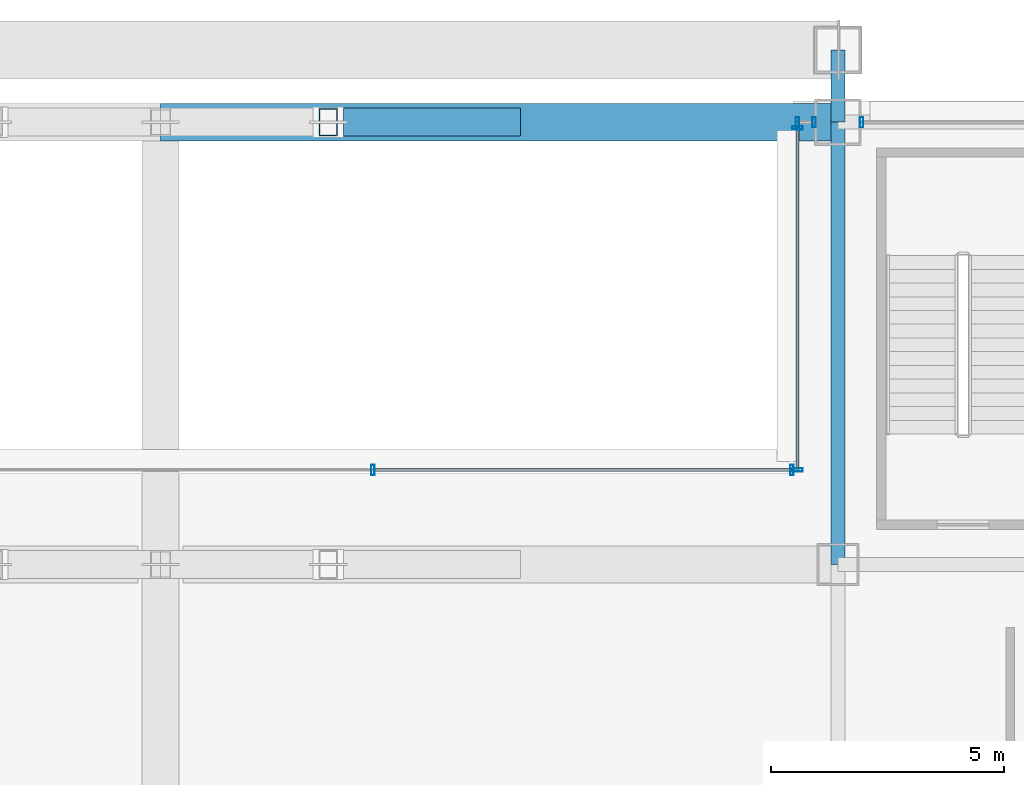
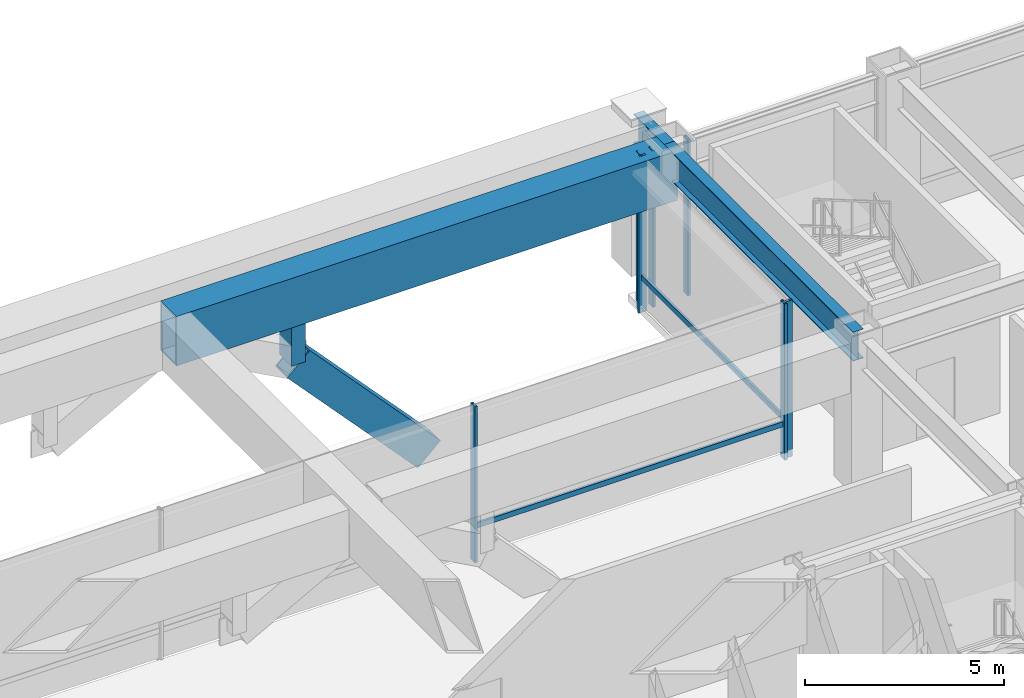
# One storey, part 21 of 37: 11 members, 3 beams, 4 elements without a shape of their own.
"""IFC4 building model written with IfcOpenShell, lengths in metres."""

import ifcopenshell
import ifcopenshell.guid

model = None  # the IFC model being written
_history = None  # IfcOwnerHistory: only IFC2X3 demands one
_inside = {}  # id of a spatial element -> (the spatial element, [elements in it])
_under = {}  # id of a project, library or spatial element -> (it, [spatial elements below it])
_declared = {}  # id of a project -> (the project, [libraries it declares])
_typed = {}  # id of a type object -> (the type object, [elements of that type])
_made_of = {}  # id of a material, layer set ... -> (it, [elements and type objects made of it])


def new_model(schema):
    """Start an empty IFC model of exactly this schema.

    Asked for "IFC4X3", IfcOpenShell would pick the latest addendum, in which some entities
    have other attributes; the version numbers below select the first issue.
    IFC2X3 requires an IfcOwnerHistory on every rooted entity: one is made here for all.
    """
    global model, _history
    if schema == "IFC4X3":
        model = ifcopenshell.file(schema_version=(4, 3, 0, 0))
    else:
        model = ifcopenshell.file(schema=schema)
    _inside.clear()
    _under.clear()
    _declared.clear()
    _typed.clear()
    _made_of.clear()
    _history = None
    if model.schema == "IFC2X3":
        org = make("IfcOrganization", Name="unknown")
        user = make(
            "IfcPersonAndOrganization",
            ThePerson=make("IfcPerson", FamilyName="unknown"),
            TheOrganization=org,
        )
        app = make(
            "IfcApplication",
            ApplicationDeveloper=org,
            Version="unknown",
            ApplicationFullName="unknown",
            ApplicationIdentifier="unknown",
        )
        _history = make(
            "IfcOwnerHistory",
            OwningUser=user,
            OwningApplication=app,
            ChangeAction="ADDED",
            CreationDate=0,
        )
    return model


def make(cls, **values):
    """One entity of the class cls with the attributes given. An attribute that is None is left unset."""
    return model.create_entity(
        cls, **{name: value for name, value in values.items() if value is not None}
    )


def rooted(cls, **values):
    """An entity with a GlobalId (a new one), such as an element, a storey or a relation."""
    return make(cls, GlobalId=ifcopenshell.guid.new(), OwnerHistory=_history, **values)


def si_unit(unit_type, name, prefix=None):
    """IfcSIUnit, for example si_unit("LENGTHUNIT", "METRE", prefix="MILLI")."""
    return make("IfcSIUnit", UnitType=unit_type, Prefix=prefix, Name=name)


def assignment(units):
    """IfcUnitAssignment: the units of a project."""
    return None if units is None else make("IfcUnitAssignment", Units=units)


def point(xyz):
    """IfcCartesianPoint."""
    return None if xyz is None else make("IfcCartesianPoint", Coordinates=xyz)


def direction(xyz):
    """IfcDirection."""
    return None if xyz is None else make("IfcDirection", DirectionRatios=xyz)


def frame(location, z_axis=None, x_axis=None):
    """IfcAxis2Placement3D, a coordinate frame: its origin and axes. An axis left out is left unset."""
    return make(
        "IfcAxis2Placement3D",
        Location=point(location),
        Axis=direction(z_axis),
        RefDirection=direction(x_axis),
    )


def frame_2d(location, x_axis=None):
    """IfcAxis2Placement2D, a coordinate frame in the plane: its origin and x axis."""
    return make(
        "IfcAxis2Placement2D", Location=point(location), RefDirection=direction(x_axis)
    )


def origin():
    """The frame at (0, 0, 0) with its axes left unset."""
    return frame((0.0, 0.0, 0.0))


def origin_2d():
    """The frame at (0, 0) in the plane with its x axis left unset."""
    return frame_2d((0.0, 0.0))


def place(relative_to, where):
    """IfcLocalPlacement: puts the frame where relative to a parent placement (None: the world)."""
    return make(
        "IfcLocalPlacement", PlacementRelTo=relative_to, RelativePlacement=where
    )


def context(
    kind, dimensions, precision=None, world=None, true_north=None, identifier=None
):
    """IfcGeometricRepresentationContext, for example the 3D "Model" context."""
    return make(
        "IfcGeometricRepresentationContext",
        ContextIdentifier=identifier,
        ContextType=kind,
        CoordinateSpaceDimension=dimensions,
        Precision=precision,
        WorldCoordinateSystem=world,
        TrueNorth=true_north,
    )


def subcontext(parent, identifier, kind, view, scale=None):
    """IfcGeometricRepresentationSubContext, for example "Body" below "Model"."""
    return make(
        "IfcGeometricRepresentationSubContext",
        ContextIdentifier=identifier,
        ContextType=kind,
        ParentContext=parent,
        TargetScale=scale,
        TargetView=view,
    )


def project(units=None, contexts=None):
    """IfcProject with its units and contexts."""
    return rooted(
        "IfcProject",
        Name="project",
        RepresentationContexts=contexts,
        UnitsInContext=assignment(units),
    )


def spatial(cls, under=None, at=None, **own):
    """A site, building, storey or space (cls), placed at a placement, below another one or the project."""
    s = rooted(cls, ObjectPlacement=at, **own)
    if under is not None:
        _under.setdefault(under.id(), (under, []))[1].append(s)
    return s


def profile(cls, at=None, kind="AREA", **sizes):
    """A parametric profile (cls). Its sizes go by their IFC names, for example OverallWidth=200.0."""
    return make(cls, ProfileType=kind, Position=at, **sizes)


def hollow_rectangle(**sizes):
    """IfcRectangleHollowProfileDef."""
    return profile("IfcRectangleHollowProfileDef", **sizes)


def i_section(**sizes):
    """IfcIShapeProfileDef."""
    return profile("IfcIShapeProfileDef", **sizes)


def extrude(swept, where, along, depth):
    """IfcExtrudedAreaSolid: the profile swept, set in the frame where, extruded along a direction by depth."""
    return make(
        "IfcExtrudedAreaSolid",
        SweptArea=swept,
        Position=where,
        ExtrudedDirection=direction(along),
        Depth=depth,
    )


def shape(context_of_items, identifier, shape_type, items):
    """IfcShapeRepresentation: the items that make up one representation, for example the "Body"."""
    return make(
        "IfcShapeRepresentation",
        ContextOfItems=context_of_items,
        RepresentationIdentifier=identifier,
        RepresentationType=shape_type,
        Items=items,
    )


def material(Name=None, Category=None):
    """IfcMaterial."""
    return make("IfcMaterial", Name=Name, Category=Category)


def layer(
    of_material, thickness, ventilated=None, Name=None, Category=None, Priority=None
):
    """IfcMaterialLayer: one layer of a wall or slab, of a material (None: an air gap)."""
    return make(
        "IfcMaterialLayer",
        Material=of_material,
        LayerThickness=thickness,
        IsVentilated=ventilated,
        Name=Name,
        Category=Category,
        Priority=Priority,
    )


def layer_set(layers, Name=None):
    """IfcMaterialLayerSet."""
    return make("IfcMaterialLayerSet", MaterialLayers=layers, LayerSetName=Name)


def material_profile(
    of_material, cross_section, Name=None, Category=None, Priority=None
):
    """IfcMaterialProfile: a cross section and its material."""
    return make(
        "IfcMaterialProfile",
        Name=Name,
        Material=of_material,
        Profile=cross_section,
        Priority=Priority,
        Category=Category,
    )


def profile_set(profiles, Name=None, composite=None):
    """IfcMaterialProfileSet."""
    return make(
        "IfcMaterialProfileSet",
        Name=Name,
        MaterialProfiles=profiles,
        CompositeProfile=composite,
    )


def made_of(thing, what):
    """Note that an element or type object is made of a material, layer set ...; save() writes the relation."""
    if what is not None:
        _made_of.setdefault(what.id(), (what, []))[1].append(thing)
    return thing


def type_object(cls, material=None, **own):
    """A type object (cls), such as IfcWallType, which elements share."""
    return made_of(rooted(cls, **own), material)


def element(
    cls,
    number,
    at=None,
    inside=None,
    cuts=None,
    type_object=None,
    material=None,
    context=None,
    identifier="Body",
    shape_type=None,
    held_by="IfcProductDefinitionShape",
    body=None,
    shapes=None,
    **own,
):
    """One element of the class cls, such as IfcWall. Its Tag is "e" and its number.

    at: its placement. inside: the storey or other place that contains it. cuts: it is an
    opening in that element (IfcRelVoidsElement). A single representation is given by context,
    identifier, shape_type and body (its items); several are given by shapes. held_by: the class
    of the entity that holds the representations. save() writes the other relations.
    """
    e = rooted(cls, Tag="e%d" % number, ObjectPlacement=at, **own)
    if body is not None:
        shapes = [shape(context, identifier, shape_type, body)]
    if shapes is not None:
        e.Representation = make(held_by, Representations=shapes)
    if inside is not None:
        _inside.setdefault(inside.id(), (inside, []))[1].append(e)
    if cuts is not None:
        rooted(
            "IfcRelVoidsElement", RelatingBuildingElement=cuts, RelatedOpeningElement=e
        )
    if type_object is not None:
        _typed.setdefault(type_object.id(), (type_object, []))[1].append(e)
    return made_of(e, material)


def aggregate(whole, parts):
    """IfcRelAggregates: a whole, such as a stair, and the parts it consists of."""
    return rooted("IfcRelAggregates", RelatingObject=whole, RelatedObjects=parts)


def save(model, path):
    """Write the relations noted so far, then the file.

    IfcRelAggregates (storeys below a building ...), IfcRelContainedInSpatialStructure (elements
    in a storey), IfcRelDefinesByType, IfcRelAssociatesMaterial and IfcRelDeclares: one each for
    every whole, place, type object, material and project.
    """
    for whole, parts in _under.values():
        aggregate(whole, parts)
    for where, things in _inside.values():
        rooted(
            "IfcRelContainedInSpatialStructure",
            RelatedElements=things,
            RelatingStructure=where,
        )
    for kind, things in _typed.values():
        rooted("IfcRelDefinesByType", RelatedObjects=things, RelatingType=kind)
    for what, things in _made_of.values():
        rooted("IfcRelAssociatesMaterial", RelatedObjects=things, RelatingMaterial=what)
    for by, libraries in _declared.values():
        rooted("IfcRelDeclares", RelatingContext=by, RelatedDefinitions=libraries)
    model.write(path)


model = new_model("IFC4")

# Units and contexts
model_context = context("Model", 3, precision=1e-05, world=origin(), true_north=direction((0.0, 1.0)))
body_context = subcontext(model_context, "Body", "Model", "MODEL_VIEW")
ifc_project = project(units=[si_unit("LENGTHUNIT", "METRE"), si_unit("AREAUNIT", "SQUARE_METRE"), si_unit("VOLUMEUNIT", "CUBIC_METRE"), si_unit("PLANEANGLEUNIT", "RADIAN"), si_unit("MASSUNIT", "GRAM", prefix="KILO")], contexts=[model_context])

# Site, building, storey
site_placement = place(None, origin())
site = spatial("IfcSite", under=ifc_project, at=site_placement, CompositionType="ELEMENT")
building_placement = place(site_placement, origin())
building = spatial("IfcBuilding", under=site, at=building_placement, Name="Brelmoor Portico Tower", CompositionType="ELEMENT")
storey_placement = place(building_placement, frame((0.0, 0.0, 14.39990234375)))
storey = spatial("IfcBuildingStorey", under=building, at=storey_placement, Name="L03", CompositionType="ELEMENT", Elevation=14.39990234375)

# Beams
ifc_material_1 = material(Name="Steel Q355B", Category="steel")
ifc_material_profile_1 = material_profile(ifc_material_1, i_section(OverallWidth=0.300048828125, OverallDepth=0.89990234375, WebThickness=0.01611328125, FlangeThickness=0.028076171875, at=origin_2d()), Name="HN 900x300x16x28")
ifc_profile_set_1 = profile_set([ifc_material_profile_1], Name="Steel Q355B")
beam_type_1 = type_object("IfcBeamType", Name="BM-PG-900", PredefinedType="BEAM", material=ifc_profile_set_1)
beam_1_placement = place(storey_placement, frame((14.550048828125, 18.050048828125, 4.130126953125), z_axis=(0.0, 1.0, 0.0), x_axis=(-1.0, 0.0, 0.0)))
element("IfcBeam", 1, at=beam_1_placement, inside=storey, type_object=beam_type_1, Name="L03 Primary Floor Girder PG-17", PredefinedType="BEAM", context=body_context, shape_type="SweptSolid", body=[
    extrude(i_section(OverallWidth=0.300048828125, OverallDepth=0.89990234375, WebThickness=0.01611328125, FlangeThickness=0.028076171875, at=origin_2d()), origin(), (0.0, 0.0, 1.0), 9.5),
])
beam_2_placement = place(storey_placement, frame((14.550048828125, 27.550048828125, 4.130126953125), z_axis=(0.0, 1.0, 0.0), x_axis=(-1.0, 0.0, 0.0)))
element("IfcBeam", 2, at=beam_2_placement, inside=storey, type_object=beam_type_1, Name="L03 Primary Floor Girder PG-18", PredefinedType="BEAM", context=body_context, shape_type="SweptSolid", body=[
    extrude(i_section(OverallWidth=0.300048828125, OverallDepth=0.89990234375, WebThickness=0.01611328125, FlangeThickness=0.028076171875, at=origin_2d()), origin(), (0.0, 0.0, 1.0), 1.550048828125),
])
ifc_material_2 = material(Name="Steel Q420B", Category="steel")
ifc_material_profile_2 = material_profile(ifc_material_2, hollow_rectangle(XDim=0.800048828125, YDim=1.52001953125, WallThickness=0.044921875, at=origin_2d()), Name="BOX 800x1520x45")
ifc_profile_set_2 = profile_set([ifc_material_profile_2], Name="Steel Q420B")
beam_type_2 = type_object("IfcBeamType", Name="BM-TG-TIE", PredefinedType="BEAM", material=ifc_profile_set_2)
beam_3_placement = place(storey_placement, frame((0.0, 27.550048828125, 3.820068359375), z_axis=(1.0, 0.0, 0.0), x_axis=(0.0, 1.0, 0.0)))
element("IfcBeam", 3, at=beam_3_placement, inside=storey, type_object=beam_type_2, Name="L03 Giant Arch Bridge Transfer Box Girder N1E", PredefinedType="BEAM", context=body_context, shape_type="SweptSolid", body=[
    extrude(hollow_rectangle(XDim=0.800048828125, YDim=1.52001953125, WallThickness=0.044921875, at=origin_2d()), origin(), (0.0, 0.0, 1.0), 14.550048828125),
])

# Members
ifc_material_profile_3 = material_profile(ifc_material_2, hollow_rectangle(XDim=0.60009765625, YDim=0.89990234375, WallThickness=0.035888671875, at=origin_2d()), Name="RHS 600x900x36")
ifc_profile_set_3 = profile_set([ifc_material_profile_3], Name="Steel Q420B")
member_type_1 = type_object("IfcMemberType", Name="MB-ARCH-RIB", PredefinedType="CHORD", material=ifc_profile_set_3)
member_1_placement = place(storey_placement, frame((3.60009765625, 27.550048828125, 1.800048828125), z_axis=(0.679758934969, 0.0, -0.733435607487), x_axis=(0.0, 1.0, 0.0)))
element("IfcMember", 4, at=member_1_placement, inside=storey, type_object=member_type_1, Name="Giant Portico Arch Rib N1-6", PredefinedType="CHORD", context=body_context, shape_type="SweptSolid", body=[
    extrude(hollow_rectangle(XDim=0.60009765625, YDim=0.89990234375, WallThickness=0.035888671875, at=origin_2d()), origin(), (0.0, 0.0, 1.0), 5.58984375),
])
ifc_material_profile_4 = material_profile(ifc_material_1, hollow_rectangle(XDim=0.39990234375, YDim=0.60009765625, WallThickness=0.02392578125, at=origin_2d()), Name="RHS 400x600x24")
ifc_profile_set_4 = profile_set([ifc_material_profile_4], Name="Steel Q355B")
member_type_2 = type_object("IfcMemberType", Name="MB-ARCH-STRUT", PredefinedType="BRACE", material=ifc_profile_set_4)
member_2_placement = place(storey_placement, frame((3.60009765625, 27.550048828125, 1.800048828125), z_axis=(0.0, 0.0, 1.0), x_axis=(1.0, 0.0, 0.0)))
element("IfcMember", 5, at=member_2_placement, inside=storey, type_object=member_type_2, Name="Portico Arch Spandrel Strut N1-4", PredefinedType="BRACE", context=body_context, shape_type="SweptSolid", body=[
    extrude(hollow_rectangle(XDim=0.39990234375, YDim=0.60009765625, WallThickness=0.02392578125, at=origin_2d()), origin(), (0.0, 0.0, 1.0), 1.955078125),
])

# Curtain wall, members
ifc_material_3 = material(Name="Anodised Aluminium Alloy 6063-T6", Category="aluminium")
ifc_layer = layer(ifc_material_3, 0.179931640625)
ifc_layer_set = layer_set([ifc_layer], Name="Anodised Aluminium Alloy 6063-T6")
curtain_wall_type = type_object("IfcCurtainWallType", Name="CW-PODIUM-ARCH", PredefinedType="NOTDEFINED", material=ifc_layer_set)
curtain_wall_1_placement = place(storey_placement, origin())
curtain_wall_1 = element("IfcCurtainWall", 6, at=curtain_wall_1_placement, inside=storey, type_object=curtain_wall_type, Name="L03 Curtain Wall CW-L03-07-1", PredefinedType="NOTDEFINED")
ifc_material_profile_5 = material_profile(ifc_material_3, hollow_rectangle(XDim=0.074951171875, YDim=0.219970703125, WallThickness=0.0048828125, at=origin_2d()), Name="ALU MULLION 75x220")
ifc_profile_set_5 = profile_set([ifc_material_profile_5], Name="Anodised Aluminium Alloy 6063-T6")
member_type_3 = type_object("IfcMemberType", Name="MB-CW-MULL-220", PredefinedType="MULLION", material=ifc_profile_set_5)
member_3_placement = place(storey_placement, frame((13.679931640625, 27.550048828125, -0.219970703125), z_axis=(0.0, 0.0, 1.0), x_axis=(1.0, 0.0, 0.0)))
member_3 = element("IfcMember", 7, at=member_3_placement, type_object=member_type_3, Name="CW-L03-07-1 Mullion 00", PredefinedType="MULLION", context=body_context, shape_type="SweptSolid", body=[
    extrude(hollow_rectangle(XDim=0.074951171875, YDim=0.219970703125, WallThickness=0.0048828125, at=origin_2d()), origin(), (0.0, 0.0, 1.0), 4.800048828125),
])
member_4_placement = place(storey_placement, frame((14.0400390625, 27.550048828125, -0.219970703125), z_axis=(0.0, 0.0, 1.0), x_axis=(1.0, 0.0, 0.0)))
member_4 = element("IfcMember", 8, at=member_4_placement, type_object=member_type_3, Name="CW-L03-07-1 Mullion 01", PredefinedType="MULLION", context=body_context, shape_type="SweptSolid", body=[
    extrude(hollow_rectangle(XDim=0.074951171875, YDim=0.219970703125, WallThickness=0.0048828125, at=origin_2d()), origin(), (0.0, 0.0, 1.0), 4.800048828125),
])
aggregate(curtain_wall_1, [member_3, member_4])

# Curtain wall, member
curtain_wall_2_placement = place(storey_placement, origin())
curtain_wall_2 = element("IfcCurtainWall", 9, at=curtain_wall_2_placement, inside=storey, type_object=curtain_wall_type, Name="L03 Curtain Wall CW-L03-07-2", PredefinedType="NOTDEFINED")
member_5_placement = place(storey_placement, frame((15.06005859375, 27.550048828125, -0.219970703125), z_axis=(0.0, 0.0, 1.0), x_axis=(1.0, 0.0, 0.0)))
member_5 = element("IfcMember", 10, at=member_5_placement, type_object=member_type_3, Name="CW-L03-07-2 Mullion 00", PredefinedType="MULLION", context=body_context, shape_type="SweptSolid", body=[
    extrude(hollow_rectangle(XDim=0.074951171875, YDim=0.219970703125, WallThickness=0.0048828125, at=origin_2d()), origin(), (0.0, 0.0, 1.0), 4.800048828125),
])
aggregate(curtain_wall_2, [member_5])

# Curtain wall, members
curtain_wall_3_placement = place(storey_placement, origin())
curtain_wall_3 = element("IfcCurtainWall", 11, at=curtain_wall_3_placement, inside=storey, type_object=curtain_wall_type, Name="L03 Curtain Wall CW-L03-09", PredefinedType="NOTDEFINED")
member_6_placement = place(storey_placement, frame((13.679931640625, 20.080078125, -0.219970703125), z_axis=(0.0, 0.0, 1.0), x_axis=(0.0, 1.0, 0.0)))
member_6 = element("IfcMember", 12, at=member_6_placement, type_object=member_type_3, Name="CW-L03-09 Mullion 00", PredefinedType="MULLION", context=body_context, shape_type="SweptSolid", body=[
    extrude(hollow_rectangle(XDim=0.074951171875, YDim=0.219970703125, WallThickness=0.0048828125, at=origin_2d()), origin(), (0.0, 0.0, 1.0), 4.800048828125),
])
member_7_placement = place(storey_placement, frame((13.679931640625, 27.429931640625, -0.219970703125), z_axis=(0.0, 0.0, 1.0), x_axis=(0.0, 1.0, 0.0)))
member_7 = element("IfcMember", 13, at=member_7_placement, type_object=member_type_3, Name="CW-L03-09 Mullion 01", PredefinedType="MULLION", context=body_context, shape_type="SweptSolid", body=[
    extrude(hollow_rectangle(XDim=0.074951171875, YDim=0.219970703125, WallThickness=0.0048828125, at=origin_2d()), origin(), (0.0, 0.0, 1.0), 4.800048828125),
])

curtain_wall_4_placement = place(storey_placement, origin())
curtain_wall_4 = element("IfcCurtainWall", 14, at=curtain_wall_4_placement, inside=storey, type_object=curtain_wall_type, Name="L03 Curtain Wall CW-L03-10", PredefinedType="NOTDEFINED")
member_8_placement = place(storey_placement, frame((4.56005859375, 20.080078125, -0.219970703125), z_axis=(0.0, 0.0, 1.0), x_axis=(1.0, 0.0, 0.0)))
member_8 = element("IfcMember", 15, at=member_8_placement, type_object=member_type_3, Name="CW-L03-10 Mullion 02", PredefinedType="MULLION", context=body_context, shape_type="SweptSolid", body=[
    extrude(hollow_rectangle(XDim=0.074951171875, YDim=0.219970703125, WallThickness=0.0048828125, at=origin_2d()), origin(), (0.0, 0.0, 1.0), 4.800048828125),
])
member_9_placement = place(storey_placement, frame((13.56005859375, 20.080078125, -0.219970703125), z_axis=(0.0, 0.0, 1.0), x_axis=(1.0, 0.0, 0.0)))
member_9 = element("IfcMember", 16, at=member_9_placement, type_object=member_type_3, Name="CW-L03-10 Mullion 03", PredefinedType="MULLION", context=body_context, shape_type="SweptSolid", body=[
    extrude(hollow_rectangle(XDim=0.074951171875, YDim=0.219970703125, WallThickness=0.0048828125, at=origin_2d()), origin(), (0.0, 0.0, 1.0), 4.800048828125),
])

# Member
ifc_material_profile_6 = material_profile(ifc_material_3, hollow_rectangle(XDim=0.070068359375, YDim=0.159912109375, WallThickness=0.00390625, at=origin_2d()), Name="ALU TRANSOM 70x160")
ifc_profile_set_6 = profile_set([ifc_material_profile_6], Name="Anodised Aluminium Alloy 6063-T6")
member_type_4 = type_object("IfcMemberType", Name="MB-CW-TRAN-160", PredefinedType="USERDEFINED", material=ifc_profile_set_6)
member_10_placement = place(storey_placement, frame((13.679931640625, 20.080078125, 0.85009765625), z_axis=(0.0, 1.0, 0.0), x_axis=(-1.0, 0.0, 0.0)))
member_10 = element("IfcMember", 17, at=member_10_placement, type_object=member_type_4, Name="CW-L03-09 Transom 1-00", ObjectType="TRANSOM", PredefinedType="USERDEFINED", context=body_context, shape_type="SweptSolid", body=[
    extrude(hollow_rectangle(XDim=0.070068359375, YDim=0.159912109375, WallThickness=0.00390625, at=origin_2d()), origin(), (0.0, 0.0, 1.0), 7.469970703125),
])

aggregate(curtain_wall_3, [member_6, member_7, member_10])

member_11_placement = place(storey_placement, frame((4.56005859375, 20.080078125, 0.85009765625), z_axis=(1.0, 0.0, 0.0), x_axis=(0.0, 1.0, 0.0)))
member_11 = element("IfcMember", 18, at=member_11_placement, type_object=member_type_4, Name="CW-L03-10 Transom 1-02", ObjectType="TRANSOM", PredefinedType="USERDEFINED", context=body_context, shape_type="SweptSolid", body=[
    extrude(hollow_rectangle(XDim=0.070068359375, YDim=0.159912109375, WallThickness=0.00390625, at=origin_2d()), origin(), (0.0, 0.0, 1.0), 9.119873046875),
])

aggregate(curtain_wall_4, [member_8, member_9, member_11])

save(model, "model.ifc")
